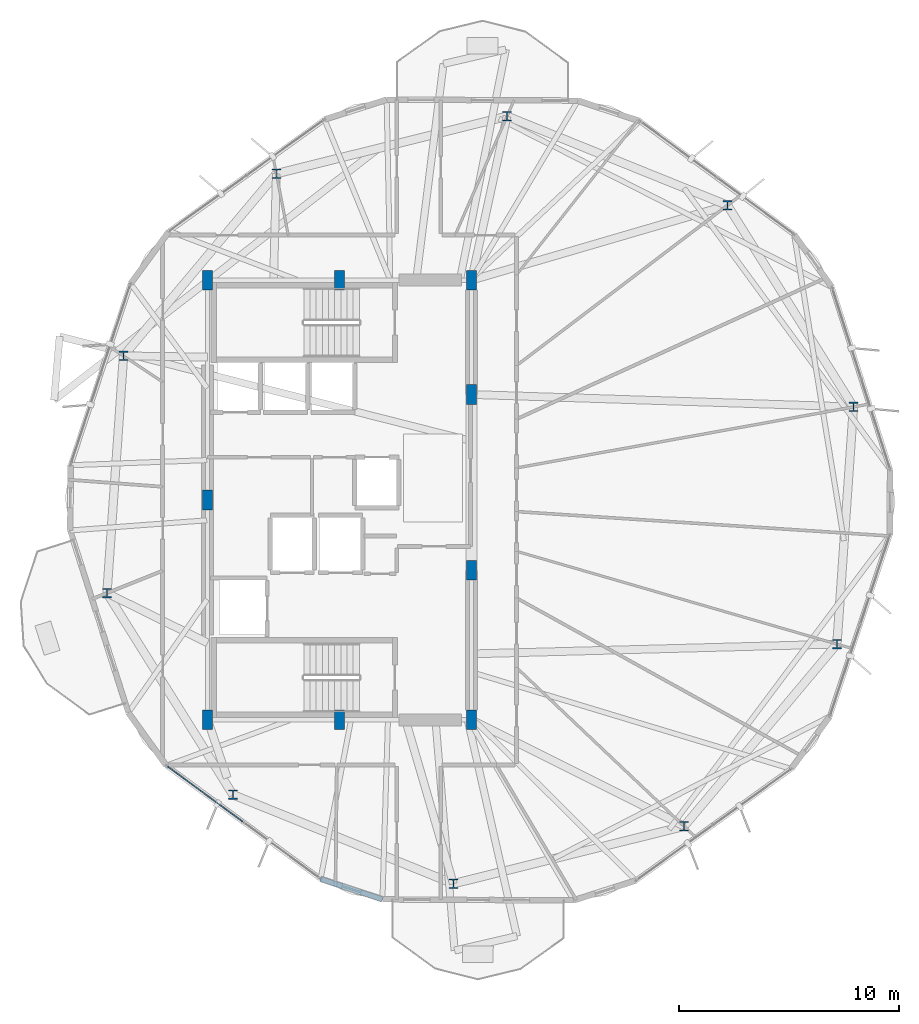
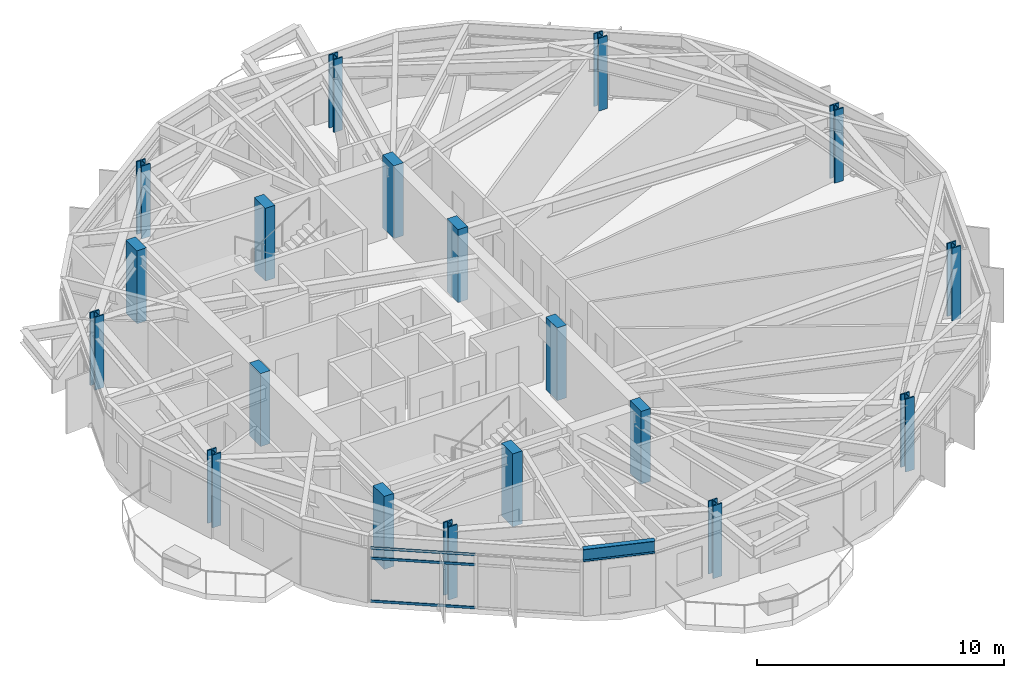
# One storey, part 1 of 24: 19 columns, 3 members, 1 beam, 1 element without a shape of its own.
"""IFC4 building model written with IfcOpenShell, lengths in metres."""

from ifc_helpers import new_model, si_unit, direction, frame, origin, origin_2d, place, context, subcontext, project, spatial, rectangle, hollow_rectangle, i_section, extrude, material, layer, layer_set, material_profile, profile_set, type_object, element, aggregate, save


model = new_model("IFC4")

# Units and contexts
model_context = context("Model", 3, precision=1e-05, world=origin(), true_north=direction((0.0, 1.0)))
body_context = subcontext(model_context, "Body", "Model", "MODEL_VIEW")
ifc_project = project(units=[si_unit("LENGTHUNIT", "METRE"), si_unit("AREAUNIT", "SQUARE_METRE"), si_unit("VOLUMEUNIT", "CUBIC_METRE"), si_unit("PLANEANGLEUNIT", "RADIAN"), si_unit("MASSUNIT", "GRAM", prefix="KILO")], contexts=[model_context])

# Site, building, storey
site_placement = place(None, origin())
site = spatial("IfcSite", under=ifc_project, at=site_placement, CompositionType="ELEMENT")
building_placement = place(site_placement, origin())
building = spatial("IfcBuilding", under=site, at=building_placement, Name="Soratama Intermodal Tower", CompositionType="ELEMENT")
storey_placement = place(building_placement, frame((0.0, 0.0, 164.199951171875)))
storey = spatial("IfcBuildingStorey", under=building, at=storey_placement, Name="L40", CompositionType="ELEMENT", Elevation=164.199951171875)

# Columns
ifc_material_1 = material(Name="Structural steel ASTM A992 Grade 50", Category="steel")
ifc_material_profile_1 = material_profile(ifc_material_1, i_section(OverallWidth=0.412109375, OverallDepth=0.43505859375, WebThickness=0.035888671875, FlangeThickness=0.057373046875, FilletRadius=0.0380859375, at=origin_2d()), Name="W14X311")
ifc_profile_set_1 = profile_set([ifc_material_profile_1], Name="Structural steel ASTM A992 Grade 50")
column_type_1 = type_object("IfcColumnType", Name="COL-ZC-W14X311", PredefinedType="COLUMN", material=ifc_profile_set_1)
for number, where, z_axis, x_axis, name in (
    (1, (61.980224609375, 29.233642578125, 0.0), (0.0, 0.0, 1.0), (1.0, 0.0, 0.0), "L40 Tower Ring Column R01"),
    (2, (56.248779296875, 38.40576171875, 0.0), (0.0, 0.0, 1.0), (1.0, 0.0, 0.0), "L40 Tower Ring Column R02"),
    (3, (46.220703125, 42.45751953125, 0.0), (0.0, 0.0, 1.0), (1.0, 0.0, 0.0), "L40 Tower Ring Column R03"),
    (4, (35.726318359375, 39.8408203125, 0.0), (0.0, 0.0, 1.0), (1.0, 0.0, 0.0), "L40 Tower Ring Column R04"),
    (5, (28.7744140625, 31.5556640625, 0.0), (0.0, 0.0, 1.0), (1.0, 0.0, 0.0), "L40 Tower Ring Column R05"),
    (6, (28.019775390625, 20.766357421875, 0.0), (0.0, 0.0, 1.0), (1.0, 0.0, 0.0), "L40 Tower Ring Column R06"),
    (7, (33.751220703125, 11.59423828125, 0.0), (0.0, 0.0, 1.0), (1.0, 0.0, 0.0), "L40 Tower Ring Column R07"),
    (8, (43.779296875, 7.54248046875, 0.0), (0.0, 0.0, 1.0), (1.0, 0.0, 0.0), "L40 Tower Ring Column R08"),
    (9, (54.273681640625, 10.1591796875, 0.0), (0.0, 0.0, 1.0), (1.0, 0.0, 0.0), "L40 Tower Ring Column R09"),
    (10, (61.2255859375, 18.4443359375, 0.0), (0.0, 0.0, 1.0), (1.0, 0.0, 0.0), "L40 Tower Ring Column R10"),
):
    element("IfcColumn", number, at=place(storey_placement, frame(where, z_axis=z_axis, x_axis=x_axis)), inside=storey, type_object=column_type_1, Name=name, PredefinedType="COLUMN", context=body_context, shape_type="SweptSolid", body=[
        extrude(i_section(OverallWidth=0.412109375, OverallDepth=0.43505859375, WebThickness=0.035888671875, FlangeThickness=0.057373046875, FilletRadius=0.0380859375, at=origin_2d()), origin(), (0.0, 0.0, 1.0), 3.60009765625),
    ])
ifc_material_2 = material(Name="Concrete f'c 56 MPa", Category="concrete")
ifc_material_profile_2 = material_profile(ifc_material_2, rectangle(XDim=0.449951171875, YDim=0.89990234375, at=origin_2d()), Name="RC450X900")
ifc_profile_set_2 = profile_set([ifc_material_profile_2], Name="Concrete f'c 56 MPa")
column_type_2 = type_object("IfcColumnType", Name="PIL-CORE-450X900", PredefinedType="PILASTER", material=ifc_profile_set_2)
for number, where, z_axis, x_axis, name in (
    (11, (32.60009765625, 15.0, 0.0), (0.0, 0.0, 1.0), (1.0, 0.0, 0.0), "L40 Core Pilaster 1"),
    (12, (32.60009765625, 25.0, 0.0), (0.0, 0.0, 1.0), (1.0, 0.0, 0.0), "L40 Core Pilaster 2"),
    (13, (32.60009765625, 35.0, 0.0), (0.0, 0.0, 1.0), (1.0, 0.0, 0.0), "L40 Core Pilaster 3"),
    (14, (38.60009765625, 15.0, 0.0), (0.0, 0.0, 1.0), (1.0, 0.0, 0.0), "L40 Core Pilaster 4"),
    (15, (38.60009765625, 35.0, 0.0), (0.0, 0.0, 1.0), (1.0, 0.0, 0.0), "L40 Core Pilaster 5"),
    (16, (44.60009765625, 15.0, 0.0), (0.0, 0.0, 1.0), (1.0, 0.0, 0.0), "L40 Core Pilaster 6"),
    (17, (44.60009765625, 21.800048828125, 0.0), (0.0, 0.0, 1.0), (1.0, 0.0, 0.0), "L40 Core Pilaster 7"),
    (18, (44.60009765625, 29.800048828125, 0.0), (0.0, 0.0, 1.0), (1.0, 0.0, 0.0), "L40 Core Pilaster 8"),
    (19, (44.60009765625, 35.0, 0.0), (0.0, 0.0, 1.0), (1.0, 0.0, 0.0), "L40 Core Pilaster 9"),
):
    element("IfcColumn", number, at=place(storey_placement, frame(where, z_axis=z_axis, x_axis=x_axis)), inside=storey, type_object=column_type_2, Name=name, PredefinedType="PILASTER", context=body_context, shape_type="SweptSolid", body=[
        extrude(rectangle(XDim=0.449951171875, YDim=0.89990234375, at=origin_2d()), origin(), (0.0, 0.0, 1.0), 3.60009765625),
    ])

# Beam
ifc_material_3 = material(Name="Structural steel ASTM A992 Grade 50", Category="steel")
ifc_material_profile_3 = material_profile(ifc_material_3, i_section(OverallWidth=0.22900390625, OverallDepth=0.612060546875, WebThickness=0.011962890625, FlangeThickness=0.01953125, FilletRadius=0.012939453125, at=origin_2d()), Name="W24X84")
ifc_profile_set_3 = profile_set([ifc_material_profile_3], Name="Structural steel ASTM A992 Grade 50")
beam_type = type_object("IfcBeamType", Name="BM-SPN-W24X84", PredefinedType="SPANDREL", material=ifc_profile_set_3)
beam_placement = place(storey_placement, frame((37.737060546875, 7.761962890625, 2.994140625), z_axis=(0.949462423582, -0.313880719709, 0.0), x_axis=(0.313880719709, 0.949462423582, 0.0)))
element("IfcBeam", 20, at=beam_placement, inside=storey, type_object=beam_type, Name="BS-L40-CRN06", PredefinedType="SPANDREL", context=body_context, shape_type="SweptSolid", body=[
    extrude(i_section(OverallWidth=0.22900390625, OverallDepth=0.612060546875, WebThickness=0.011962890625, FlangeThickness=0.01953125, FilletRadius=0.012939453125, at=origin_2d()), origin(), (0.0, 0.0, 1.0), 2.9658203125),
])

# Curtain wall, members
ifc_material_4 = material(Name="Double-glazed aluminium curtain wall", Category="aluminium")
ifc_layer = layer(ifc_material_4, 0.159912109375)
ifc_layer_set = layer_set([ifc_layer], Name="Double-glazed aluminium curtain wall")
curtain_wall_type = type_object("IfcCurtainWallType", Name="CW-SYS-4", PredefinedType="NOTDEFINED", material=ifc_layer_set)
curtain_wall_placement = place(storey_placement, origin())
curtain_wall = element("IfcCurtainWall", 21, at=curtain_wall_placement, inside=storey, type_object=curtain_wall_type, Name="L40 Faceted Curtain Wall F06", PredefinedType="NOTDEFINED")
ifc_material_5 = material(Name="Anodised aluminium AA 6063-T6", Category="aluminium")
ifc_material_profile_4 = material_profile(ifc_material_5, hollow_rectangle(XDim=0.06005859375, YDim=0.1298828125, WallThickness=0.0048828125, InnerFilletRadius=0.0048828125, OuterFilletRadius=0.010009765625, at=origin_2d()), Name="CWT130X60X5")
ifc_profile_set_4 = profile_set([ifc_material_profile_4], Name="Anodised aluminium AA 6063-T6")
member_type = type_object("IfcMemberType", Name="TT-CWT-2", PredefinedType="USERDEFINED", material=ifc_profile_set_4)
member_1_placement = place(storey_placement, frame((30.771484375, 12.87890625, 0.030029296875), z_axis=(0.805934809566, -0.59200429283, 0.0), x_axis=(0.59200429283, 0.805934809566, 0.0)))
member_1 = element("IfcMember", 22, at=member_1_placement, type_object=member_type, Name="CW-4 transom 1.1", ObjectType="TRANSOM", PredefinedType="USERDEFINED", context=body_context, shape_type="SweptSolid", body=[
    extrude(hollow_rectangle(XDim=0.06005859375, YDim=0.1298828125, WallThickness=0.0048828125, InnerFilletRadius=0.0048828125, OuterFilletRadius=0.010009765625, at=origin_2d()), origin(), (0.0, 0.0, 1.0), 4.26123046875),
])
member_2_placement = place(storey_placement, frame((30.771484375, 12.87890625, 2.150146484375), z_axis=(0.805934809566, -0.59200429283, 0.0), x_axis=(0.59200429283, 0.805934809566, 0.0)))
member_2 = element("IfcMember", 23, at=member_2_placement, type_object=member_type, Name="CW-4 transom 1.2", ObjectType="TRANSOM", PredefinedType="USERDEFINED", context=body_context, shape_type="SweptSolid", body=[
    extrude(hollow_rectangle(XDim=0.06005859375, YDim=0.1298828125, WallThickness=0.0048828125, InnerFilletRadius=0.0048828125, OuterFilletRadius=0.010009765625, at=origin_2d()), origin(), (0.0, 0.0, 1.0), 4.26123046875),
])
member_3_placement = place(storey_placement, frame((30.771484375, 12.87890625, 2.649169921875), z_axis=(0.805934809566, -0.59200429283, 0.0), x_axis=(0.59200429283, 0.805934809566, 0.0)))
member_3 = element("IfcMember", 24, at=member_3_placement, type_object=member_type, Name="CW-4 transom 1.3", ObjectType="TRANSOM", PredefinedType="USERDEFINED", context=body_context, shape_type="SweptSolid", body=[
    extrude(hollow_rectangle(XDim=0.06005859375, YDim=0.1298828125, WallThickness=0.0048828125, InnerFilletRadius=0.0048828125, OuterFilletRadius=0.010009765625, at=origin_2d()), origin(), (0.0, 0.0, 1.0), 4.26123046875),
])
aggregate(curtain_wall, [member_1, member_2, member_3])

save(model, "model.ifc")
